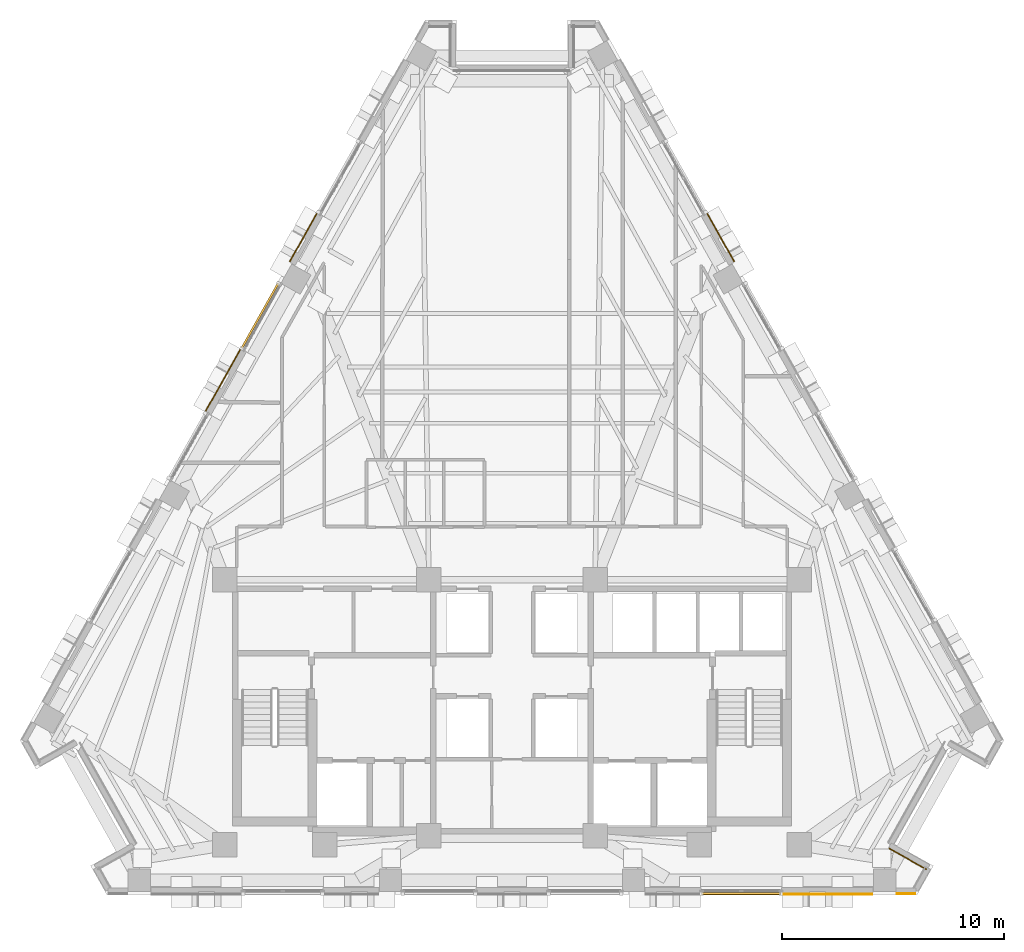
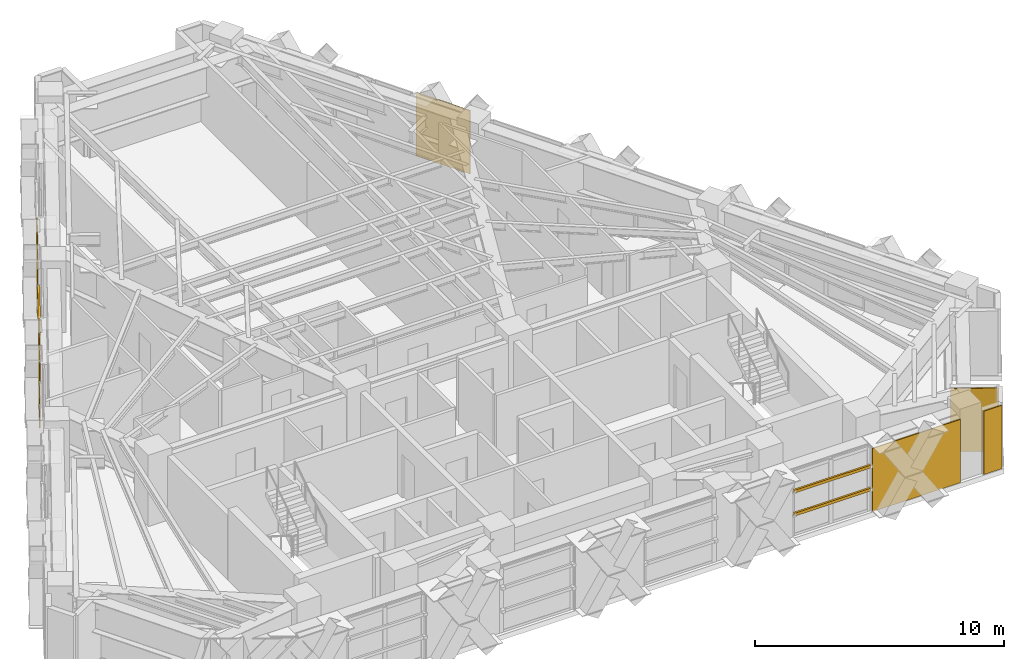
# One storey, part 11 of 13: 6 coverings, 4 shading devices.
"""IFC4 building model written with IfcOpenShell, lengths in metres."""

import ifcopenshell
import ifcopenshell.guid

model = None  # the IFC model being written
_history = None  # IfcOwnerHistory: only IFC2X3 demands one
_inside = {}  # id of a spatial element -> (the spatial element, [elements in it])
_under = {}  # id of a project, library or spatial element -> (it, [spatial elements below it])
_declared = {}  # id of a project -> (the project, [libraries it declares])
_typed = {}  # id of a type object -> (the type object, [elements of that type])
_made_of = {}  # id of a material, layer set ... -> (it, [elements and type objects made of it])


def new_model(schema):
    """Start an empty IFC model of exactly this schema.

    Asked for "IFC4X3", IfcOpenShell would pick the latest addendum, in which some entities
    have other attributes; the version numbers below select the first issue.
    IFC2X3 requires an IfcOwnerHistory on every rooted entity: one is made here for all.
    """
    global model, _history
    if schema == "IFC4X3":
        model = ifcopenshell.file(schema_version=(4, 3, 0, 0))
    else:
        model = ifcopenshell.file(schema=schema)
    _inside.clear()
    _under.clear()
    _declared.clear()
    _typed.clear()
    _made_of.clear()
    _history = None
    if model.schema == "IFC2X3":
        org = make("IfcOrganization", Name="unknown")
        user = make(
            "IfcPersonAndOrganization",
            ThePerson=make("IfcPerson", FamilyName="unknown"),
            TheOrganization=org,
        )
        app = make(
            "IfcApplication",
            ApplicationDeveloper=org,
            Version="unknown",
            ApplicationFullName="unknown",
            ApplicationIdentifier="unknown",
        )
        _history = make(
            "IfcOwnerHistory",
            OwningUser=user,
            OwningApplication=app,
            ChangeAction="ADDED",
            CreationDate=0,
        )
    return model


def make(cls, **values):
    """One entity of the class cls with the attributes given. An attribute that is None is left unset."""
    return model.create_entity(
        cls, **{name: value for name, value in values.items() if value is not None}
    )


def rooted(cls, **values):
    """An entity with a GlobalId (a new one), such as an element, a storey or a relation."""
    return make(cls, GlobalId=ifcopenshell.guid.new(), OwnerHistory=_history, **values)


def si_unit(unit_type, name, prefix=None):
    """IfcSIUnit, for example si_unit("LENGTHUNIT", "METRE", prefix="MILLI")."""
    return make("IfcSIUnit", UnitType=unit_type, Prefix=prefix, Name=name)


def assignment(units):
    """IfcUnitAssignment: the units of a project."""
    return None if units is None else make("IfcUnitAssignment", Units=units)


def point(xyz):
    """IfcCartesianPoint."""
    return None if xyz is None else make("IfcCartesianPoint", Coordinates=xyz)


def direction(xyz):
    """IfcDirection."""
    return None if xyz is None else make("IfcDirection", DirectionRatios=xyz)


def frame(location, z_axis=None, x_axis=None):
    """IfcAxis2Placement3D, a coordinate frame: its origin and axes. An axis left out is left unset."""
    return make(
        "IfcAxis2Placement3D",
        Location=point(location),
        Axis=direction(z_axis),
        RefDirection=direction(x_axis),
    )


def frame_2d(location, x_axis=None):
    """IfcAxis2Placement2D, a coordinate frame in the plane: its origin and x axis."""
    return make(
        "IfcAxis2Placement2D", Location=point(location), RefDirection=direction(x_axis)
    )


def origin():
    """The frame at (0, 0, 0) with its axes left unset."""
    return frame((0.0, 0.0, 0.0))


def origin_2d():
    """The frame at (0, 0) in the plane with its x axis left unset."""
    return frame_2d((0.0, 0.0))


def place(relative_to, where):
    """IfcLocalPlacement: puts the frame where relative to a parent placement (None: the world)."""
    return make(
        "IfcLocalPlacement", PlacementRelTo=relative_to, RelativePlacement=where
    )


def context(
    kind, dimensions, precision=None, world=None, true_north=None, identifier=None
):
    """IfcGeometricRepresentationContext, for example the 3D "Model" context."""
    return make(
        "IfcGeometricRepresentationContext",
        ContextIdentifier=identifier,
        ContextType=kind,
        CoordinateSpaceDimension=dimensions,
        Precision=precision,
        WorldCoordinateSystem=world,
        TrueNorth=true_north,
    )


def subcontext(parent, identifier, kind, view, scale=None):
    """IfcGeometricRepresentationSubContext, for example "Body" below "Model"."""
    return make(
        "IfcGeometricRepresentationSubContext",
        ContextIdentifier=identifier,
        ContextType=kind,
        ParentContext=parent,
        TargetScale=scale,
        TargetView=view,
    )


def project(units=None, contexts=None):
    """IfcProject with its units and contexts."""
    return rooted(
        "IfcProject",
        Name="project",
        RepresentationContexts=contexts,
        UnitsInContext=assignment(units),
    )


def spatial(cls, under=None, at=None, **own):
    """A site, building, storey or space (cls), placed at a placement, below another one or the project."""
    s = rooted(cls, ObjectPlacement=at, **own)
    if under is not None:
        _under.setdefault(under.id(), (under, []))[1].append(s)
    return s


def polyline(points):
    """IfcPolyline through the points."""
    return make("IfcPolyline", Points=[point(p) for p in points])


def profile(cls, at=None, kind="AREA", **sizes):
    """A parametric profile (cls). Its sizes go by their IFC names, for example OverallWidth=200.0."""
    return make(cls, ProfileType=kind, Position=at, **sizes)


def rectangle(**sizes):
    """IfcRectangleProfileDef."""
    return profile("IfcRectangleProfileDef", **sizes)


def outline(outer, holes=None, kind="AREA"):
    """IfcArbitraryClosedProfileDef: a profile drawn as a closed curve; with holes, ...WithVoids."""
    if holes is None:
        return make("IfcArbitraryClosedProfileDef", ProfileType=kind, OuterCurve=outer)
    return make(
        "IfcArbitraryProfileDefWithVoids",
        ProfileType=kind,
        OuterCurve=outer,
        InnerCurves=holes,
    )


def extrude(swept, where, along, depth):
    """IfcExtrudedAreaSolid: the profile swept, set in the frame where, extruded along a direction by depth."""
    return make(
        "IfcExtrudedAreaSolid",
        SweptArea=swept,
        Position=where,
        ExtrudedDirection=direction(along),
        Depth=depth,
    )


def shape(context_of_items, identifier, shape_type, items):
    """IfcShapeRepresentation: the items that make up one representation, for example the "Body"."""
    return make(
        "IfcShapeRepresentation",
        ContextOfItems=context_of_items,
        RepresentationIdentifier=identifier,
        RepresentationType=shape_type,
        Items=items,
    )


def material(Name=None, Category=None):
    """IfcMaterial."""
    return make("IfcMaterial", Name=Name, Category=Category)


def layer(
    of_material, thickness, ventilated=None, Name=None, Category=None, Priority=None
):
    """IfcMaterialLayer: one layer of a wall or slab, of a material (None: an air gap)."""
    return make(
        "IfcMaterialLayer",
        Material=of_material,
        LayerThickness=thickness,
        IsVentilated=ventilated,
        Name=Name,
        Category=Category,
        Priority=Priority,
    )


def layer_set(layers, Name=None):
    """IfcMaterialLayerSet."""
    return make("IfcMaterialLayerSet", MaterialLayers=layers, LayerSetName=Name)


def material_profile(
    of_material, cross_section, Name=None, Category=None, Priority=None
):
    """IfcMaterialProfile: a cross section and its material."""
    return make(
        "IfcMaterialProfile",
        Name=Name,
        Material=of_material,
        Profile=cross_section,
        Priority=Priority,
        Category=Category,
    )


def profile_set(profiles, Name=None, composite=None):
    """IfcMaterialProfileSet."""
    return make(
        "IfcMaterialProfileSet",
        Name=Name,
        MaterialProfiles=profiles,
        CompositeProfile=composite,
    )


def made_of(thing, what):
    """Note that an element or type object is made of a material, layer set ...; save() writes the relation."""
    if what is not None:
        _made_of.setdefault(what.id(), (what, []))[1].append(thing)
    return thing


def type_object(cls, material=None, **own):
    """A type object (cls), such as IfcWallType, which elements share."""
    return made_of(rooted(cls, **own), material)


def element(
    cls,
    number,
    at=None,
    inside=None,
    cuts=None,
    type_object=None,
    material=None,
    context=None,
    identifier="Body",
    shape_type=None,
    held_by="IfcProductDefinitionShape",
    body=None,
    shapes=None,
    **own,
):
    """One element of the class cls, such as IfcWall. Its Tag is "e" and its number.

    at: its placement. inside: the storey or other place that contains it. cuts: it is an
    opening in that element (IfcRelVoidsElement). A single representation is given by context,
    identifier, shape_type and body (its items); several are given by shapes. held_by: the class
    of the entity that holds the representations. save() writes the other relations.
    """
    e = rooted(cls, Tag="e%d" % number, ObjectPlacement=at, **own)
    if body is not None:
        shapes = [shape(context, identifier, shape_type, body)]
    if shapes is not None:
        e.Representation = make(held_by, Representations=shapes)
    if inside is not None:
        _inside.setdefault(inside.id(), (inside, []))[1].append(e)
    if cuts is not None:
        rooted(
            "IfcRelVoidsElement", RelatingBuildingElement=cuts, RelatedOpeningElement=e
        )
    if type_object is not None:
        _typed.setdefault(type_object.id(), (type_object, []))[1].append(e)
    return made_of(e, material)


def aggregate(whole, parts):
    """IfcRelAggregates: a whole, such as a stair, and the parts it consists of."""
    return rooted("IfcRelAggregates", RelatingObject=whole, RelatedObjects=parts)


def save(model, path):
    """Write the relations noted so far, then the file.

    IfcRelAggregates (storeys below a building ...), IfcRelContainedInSpatialStructure (elements
    in a storey), IfcRelDefinesByType, IfcRelAssociatesMaterial and IfcRelDeclares: one each for
    every whole, place, type object, material and project.
    """
    for whole, parts in _under.values():
        aggregate(whole, parts)
    for where, things in _inside.values():
        rooted(
            "IfcRelContainedInSpatialStructure",
            RelatedElements=things,
            RelatingStructure=where,
        )
    for kind, things in _typed.values():
        rooted("IfcRelDefinesByType", RelatedObjects=things, RelatingType=kind)
    for what, things in _made_of.values():
        rooted("IfcRelAssociatesMaterial", RelatedObjects=things, RelatingMaterial=what)
    for by, libraries in _declared.values():
        rooted("IfcRelDeclares", RelatingContext=by, RelatedDefinitions=libraries)
    model.write(path)


model = new_model("IFC4")

# Units and contexts
model_context = context("Model", 3, precision=1e-05, world=origin(), true_north=direction((0.0, 1.0)))
body_context = subcontext(model_context, "Body", "Model", "MODEL_VIEW")
ifc_project = project(units=[si_unit("LENGTHUNIT", "METRE"), si_unit("AREAUNIT", "SQUARE_METRE"), si_unit("VOLUMEUNIT", "CUBIC_METRE"), si_unit("PLANEANGLEUNIT", "RADIAN"), si_unit("MASSUNIT", "GRAM", prefix="KILO")], contexts=[model_context])

# Site, building, storey
site_placement = place(None, origin())
site = spatial("IfcSite", under=ifc_project, at=site_placement, CompositionType="ELEMENT")
building_placement = place(site_placement, origin())
building = spatial("IfcBuilding", under=site, at=building_placement, Name="Quenlor Broadcast Tower", CompositionType="ELEMENT")
storey_placement = place(building_placement, frame((0.0, 0.0, 175.5)))
storey = spatial("IfcBuildingStorey", under=building, at=storey_placement, Name="L48", CompositionType="ELEMENT", Elevation=175.5)

# Shading devices
ifc_material_1 = material(Name="Architectural Terracotta Ceramic", Category="masonry")
ifc_material_profile = material_profile(ifc_material_1, rectangle(XDim=0.090087890625, YDim=0.139892578125, at=origin_2d()))
ifc_profile_set = profile_set([ifc_material_profile], Name="Architectural Terracotta Ceramic BAG90x140")
shading_device_type = type_object("IfcShadingDeviceType", Name="Copper Terracotta Baguette Solar Screen 140", PredefinedType="USERDEFINED", material=ifc_profile_set)
for number, where, z_axis, x_axis, name in (
    (1, (12.114013671875, -18.952880859375, 1.13037109375), (-1.0, 0.0, 0.0), (0.0, -1.0, 0.0), "L48 Terracotta Baguette Screen 1"),
    (2, (12.114013671875, -18.952880859375, 2.2607421875), (-1.0, 0.0, 0.0), (0.0, -1.0, 0.0), "L48 Terracotta Baguette Screen 2"),
):
    element("IfcShadingDevice", number, at=place(storey_placement, frame(where, z_axis=z_axis, x_axis=x_axis)), inside=storey, type_object=shading_device_type, Name=name, ObjectType="BAGUETTE", PredefinedType="USERDEFINED", context=body_context, shape_type="SweptSolid", body=[
        extrude(rectangle(XDim=0.090087890625, YDim=0.139892578125, at=origin_2d()), origin(), (0.0, 0.0, 1.0), 3.56396484375),
    ])
for number, where, z_axis, x_axis, name in (
    (3, (-12.18310546875, 5.64501953125, 1.13037109375), (0.490257780007, 0.871577483155, 0.0), (-0.871577483155, 0.490257780007, 0.0), "L48 Terracotta Baguette Screen 1"),
    (4, (-12.18310546875, 5.64501953125, 2.2607421875), (0.490257780007, 0.871577483155, 0.0), (-0.871577483155, 0.490257780007, 0.0), "L48 Terracotta Baguette Screen 2"),
):
    element("IfcShadingDevice", number, at=place(storey_placement, frame(where, z_axis=z_axis, x_axis=x_axis)), inside=storey, type_object=shading_device_type, Name=name, ObjectType="BAGUETTE", PredefinedType="USERDEFINED", context=body_context, shape_type="SweptSolid", body=[
        extrude(rectangle(XDim=0.090087890625, YDim=0.139892578125, at=origin_2d()), origin(), (0.0, 0.0, 1.0), 3.350341796875),
    ])

# Coverings
ifc_material_2 = material(Name="Architectural Terracotta Ceramic", Category="masonry")
ifc_layer = layer(ifc_material_2, 0.044921875)
ifc_layer_set = layer_set([ifc_layer], Name="Fluted Terracotta Rainscreen Cladding Panel")
covering_type = type_object("IfcCoveringType", Name="Fluted Terracotta Rainscreen Cladding Panel", PredefinedType="CLADDING", material=ifc_layer_set)
covering_1_placement = place(storey_placement, frame((0.0, 0.0, 0.02001953125)))
element("IfcCovering", 5, at=covering_1_placement, inside=storey, type_object=covering_type, Name="L48 Terracotta Rainscreen Cladding L48-SHD-SS0", PredefinedType="CLADDING", context=body_context, shape_type="SweptSolid", body=[
    extrude(outline(polyline([(18.179931640625, -18.93701171875), (17.343505859375, -18.93701171875), (17.343505859375, -18.98193359375), (18.179931640625, -18.98193359375), (18.179931640625, -18.93701171875)])), origin(), (0.0, 0.0, 1.0), 3.10009765625),
])
covering_2_placement = place(storey_placement, frame((0.0, 0.0, 0.02001953125)))
element("IfcCovering", 6, at=covering_2_placement, inside=storey, type_object=covering_type, Name="L48 Terracotta Rainscreen Cladding L48-SA-SP1", PredefinedType="CLADDING", context=body_context, shape_type="SweptSolid", body=[
    extrude(outline(polyline([(16.25341796875, -18.95703125), (12.178955078125, -18.95703125), (12.178955078125, -19.001953125), (16.25341796875, -19.001953125), (16.25341796875, -18.95703125)])), origin(), (0.0, 0.0, 1.0), 3.10009765625),
])
covering_3_placement = place(storey_placement, frame((0.0, 0.0, 0.02001953125)))
element("IfcCovering", 7, at=covering_3_placement, inside=storey, type_object=covering_type, Name="L48 Terracotta Rainscreen Cladding L48-NEA-SP2", PredefinedType="CLADDING", context=body_context, shape_type="SweptSolid", body=[
    extrude(outline(polyline([(8.7705078125, 11.720458984375), (10.0, 9.53466796875), (10.039306640625, 9.556640625), (8.809814453125, 11.742431640625), (8.7705078125, 11.720458984375)])), origin(), (0.0, 0.0, 1.0), 3.10009765625),
])
covering_4_placement = place(storey_placement, frame((0.0, 0.0, 0.02001953125)))
element("IfcCovering", 8, at=covering_4_placement, inside=storey, type_object=covering_type, Name="L48 Terracotta Rainscreen Cladding L48-NWC-SP1", PredefinedType="CLADDING", context=body_context, shape_type="SweptSolid", body=[
    extrude(outline(polyline([(-10.0, 9.53466796875), (-8.7705078125, 11.720458984375), (-8.809814453125, 11.742431640625), (-10.039306640625, 9.556640625), (-10.0, 9.53466796875)])), origin(), (0.0, 0.0, 1.0), 3.10009765625),
])
covering_5_placement = place(storey_placement, frame((0.0, 0.0, 0.02001953125)))
element("IfcCovering", 9, at=covering_5_placement, inside=storey, type_object=covering_type, Name="L48 Terracotta Rainscreen Cladding L48-NW-SP1", PredefinedType="CLADDING", context=body_context, shape_type="SweptSolid", body=[
    extrude(outline(polyline([(-13.806396484375, 2.767333984375), (-12.218505859375, 5.59033203125), (-12.2578125, 5.6123046875), (-13.845703125, 2.789306640625), (-13.806396484375, 2.767333984375)])), origin(), (0.0, 0.0, 1.0), 3.10009765625),
])
covering_6_placement = place(storey_placement, frame((0.0, 0.0, 0.02001953125)))
element("IfcCovering", 10, at=covering_6_placement, inside=storey, type_object=covering_type, Name="L48 Terracotta Rainscreen Cladding L48-CNR-01", PredefinedType="CLADDING", context=body_context, shape_type="SweptSolid", body=[
    extrude(outline(polyline([(18.702880859375, -17.8427734375), (17.011962890625, -16.8916015625), (16.989990234375, -16.930908203125), (18.680908203125, -17.882080078125), (18.702880859375, -17.8427734375)])), origin(), (0.0, 0.0, 1.0), 3.10009765625),
])

save(model, "model.ifc")
